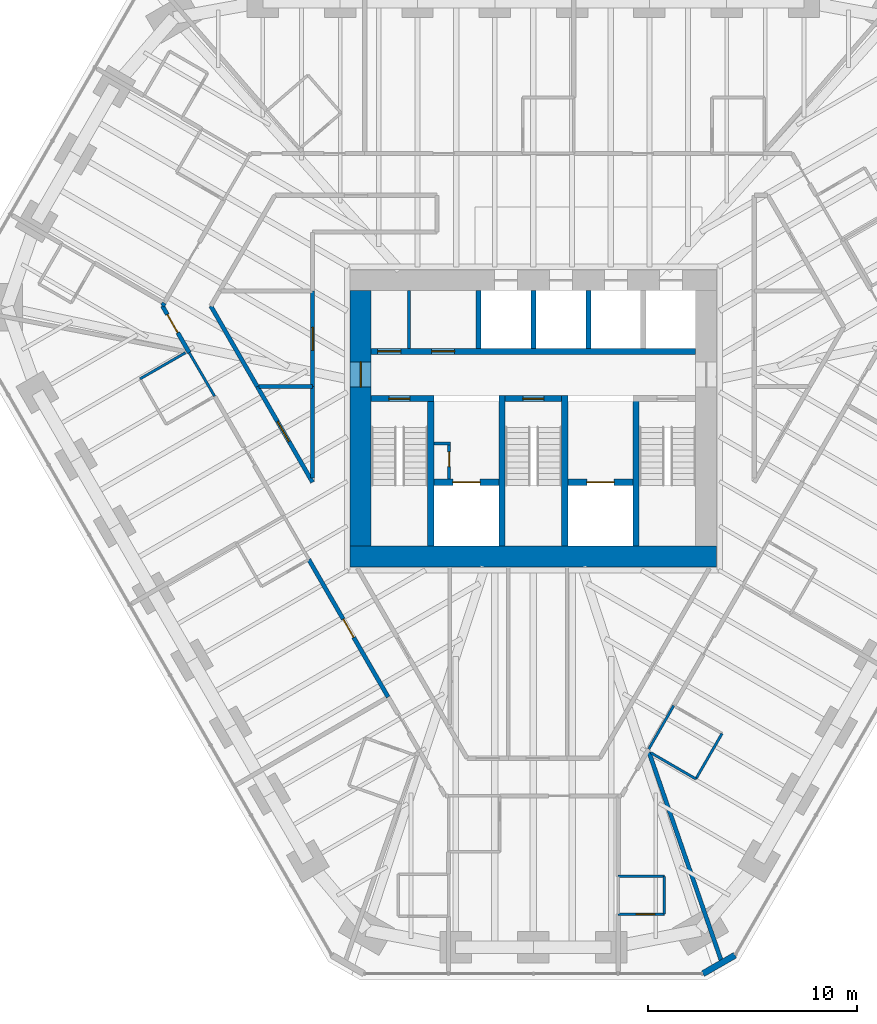
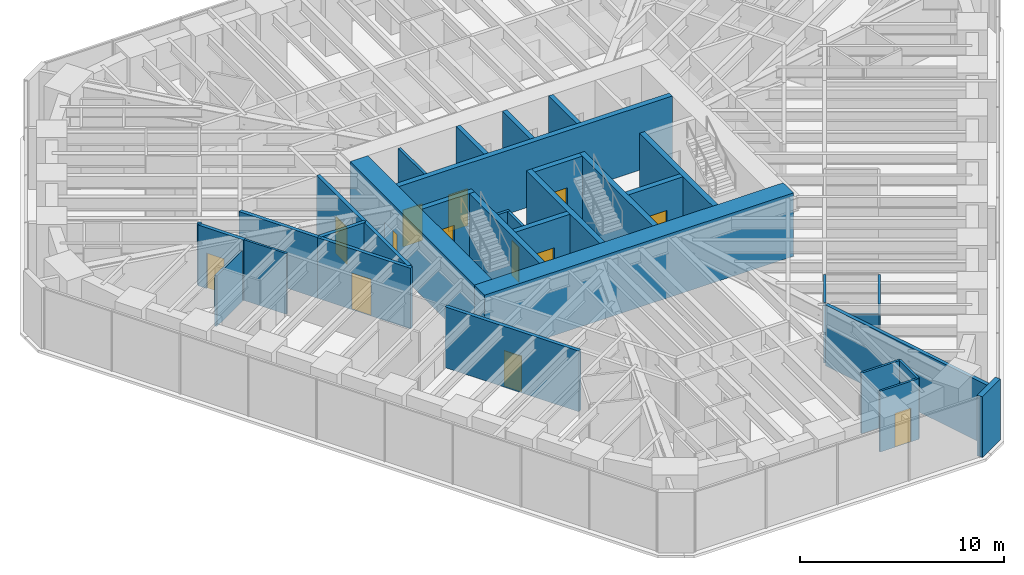
# One storey, part 12 of 16: 35 walls, 13 doors, 13 openings.
"""IFC4 building model written with IfcOpenShell, lengths in metres."""

import ifcopenshell
import ifcopenshell.guid

model = None  # the IFC model being written
_history = None  # IfcOwnerHistory: only IFC2X3 demands one
_inside = {}  # id of a spatial element -> (the spatial element, [elements in it])
_under = {}  # id of a project, library or spatial element -> (it, [spatial elements below it])
_declared = {}  # id of a project -> (the project, [libraries it declares])
_typed = {}  # id of a type object -> (the type object, [elements of that type])
_made_of = {}  # id of a material, layer set ... -> (it, [elements and type objects made of it])


def new_model(schema):
    """Start an empty IFC model of exactly this schema.

    Asked for "IFC4X3", IfcOpenShell would pick the latest addendum, in which some entities
    have other attributes; the version numbers below select the first issue.
    IFC2X3 requires an IfcOwnerHistory on every rooted entity: one is made here for all.
    """
    global model, _history
    if schema == "IFC4X3":
        model = ifcopenshell.file(schema_version=(4, 3, 0, 0))
    else:
        model = ifcopenshell.file(schema=schema)
    _inside.clear()
    _under.clear()
    _declared.clear()
    _typed.clear()
    _made_of.clear()
    _history = None
    if model.schema == "IFC2X3":
        org = make("IfcOrganization", Name="unknown")
        user = make(
            "IfcPersonAndOrganization",
            ThePerson=make("IfcPerson", FamilyName="unknown"),
            TheOrganization=org,
        )
        app = make(
            "IfcApplication",
            ApplicationDeveloper=org,
            Version="unknown",
            ApplicationFullName="unknown",
            ApplicationIdentifier="unknown",
        )
        _history = make(
            "IfcOwnerHistory",
            OwningUser=user,
            OwningApplication=app,
            ChangeAction="ADDED",
            CreationDate=0,
        )
    return model


def make(cls, **values):
    """One entity of the class cls with the attributes given. An attribute that is None is left unset."""
    return model.create_entity(
        cls, **{name: value for name, value in values.items() if value is not None}
    )


def rooted(cls, **values):
    """An entity with a GlobalId (a new one), such as an element, a storey or a relation."""
    return make(cls, GlobalId=ifcopenshell.guid.new(), OwnerHistory=_history, **values)


def si_unit(unit_type, name, prefix=None):
    """IfcSIUnit, for example si_unit("LENGTHUNIT", "METRE", prefix="MILLI")."""
    return make("IfcSIUnit", UnitType=unit_type, Prefix=prefix, Name=name)


def assignment(units):
    """IfcUnitAssignment: the units of a project."""
    return None if units is None else make("IfcUnitAssignment", Units=units)


def point(xyz):
    """IfcCartesianPoint."""
    return None if xyz is None else make("IfcCartesianPoint", Coordinates=xyz)


def direction(xyz):
    """IfcDirection."""
    return None if xyz is None else make("IfcDirection", DirectionRatios=xyz)


def frame(location, z_axis=None, x_axis=None):
    """IfcAxis2Placement3D, a coordinate frame: its origin and axes. An axis left out is left unset."""
    return make(
        "IfcAxis2Placement3D",
        Location=point(location),
        Axis=direction(z_axis),
        RefDirection=direction(x_axis),
    )


def frame_2d(location, x_axis=None):
    """IfcAxis2Placement2D, a coordinate frame in the plane: its origin and x axis."""
    return make(
        "IfcAxis2Placement2D", Location=point(location), RefDirection=direction(x_axis)
    )


def origin():
    """The frame at (0, 0, 0) with its axes left unset."""
    return frame((0.0, 0.0, 0.0))


def place(relative_to, where):
    """IfcLocalPlacement: puts the frame where relative to a parent placement (None: the world)."""
    return make(
        "IfcLocalPlacement", PlacementRelTo=relative_to, RelativePlacement=where
    )


def context(
    kind, dimensions, precision=None, world=None, true_north=None, identifier=None
):
    """IfcGeometricRepresentationContext, for example the 3D "Model" context."""
    return make(
        "IfcGeometricRepresentationContext",
        ContextIdentifier=identifier,
        ContextType=kind,
        CoordinateSpaceDimension=dimensions,
        Precision=precision,
        WorldCoordinateSystem=world,
        TrueNorth=true_north,
    )


def subcontext(parent, identifier, kind, view, scale=None):
    """IfcGeometricRepresentationSubContext, for example "Body" below "Model"."""
    return make(
        "IfcGeometricRepresentationSubContext",
        ContextIdentifier=identifier,
        ContextType=kind,
        ParentContext=parent,
        TargetScale=scale,
        TargetView=view,
    )


def project(units=None, contexts=None):
    """IfcProject with its units and contexts."""
    return rooted(
        "IfcProject",
        Name="project",
        RepresentationContexts=contexts,
        UnitsInContext=assignment(units),
    )


def spatial(cls, under=None, at=None, **own):
    """A site, building, storey or space (cls), placed at a placement, below another one or the project."""
    s = rooted(cls, ObjectPlacement=at, **own)
    if under is not None:
        _under.setdefault(under.id(), (under, []))[1].append(s)
    return s


def profile(cls, at=None, kind="AREA", **sizes):
    """A parametric profile (cls). Its sizes go by their IFC names, for example OverallWidth=200.0."""
    return make(cls, ProfileType=kind, Position=at, **sizes)


def rectangle(**sizes):
    """IfcRectangleProfileDef."""
    return profile("IfcRectangleProfileDef", **sizes)


def extrude(swept, where, along, depth):
    """IfcExtrudedAreaSolid: the profile swept, set in the frame where, extruded along a direction by depth."""
    return make(
        "IfcExtrudedAreaSolid",
        SweptArea=swept,
        Position=where,
        ExtrudedDirection=direction(along),
        Depth=depth,
    )


def shape(context_of_items, identifier, shape_type, items):
    """IfcShapeRepresentation: the items that make up one representation, for example the "Body"."""
    return make(
        "IfcShapeRepresentation",
        ContextOfItems=context_of_items,
        RepresentationIdentifier=identifier,
        RepresentationType=shape_type,
        Items=items,
    )


def material(Name=None, Category=None):
    """IfcMaterial."""
    return make("IfcMaterial", Name=Name, Category=Category)


def layer(
    of_material, thickness, ventilated=None, Name=None, Category=None, Priority=None
):
    """IfcMaterialLayer: one layer of a wall or slab, of a material (None: an air gap)."""
    return make(
        "IfcMaterialLayer",
        Material=of_material,
        LayerThickness=thickness,
        IsVentilated=ventilated,
        Name=Name,
        Category=Category,
        Priority=Priority,
    )


def layer_set(layers, Name=None):
    """IfcMaterialLayerSet."""
    return make("IfcMaterialLayerSet", MaterialLayers=layers, LayerSetName=Name)


def made_of(thing, what):
    """Note that an element or type object is made of a material, layer set ...; save() writes the relation."""
    if what is not None:
        _made_of.setdefault(what.id(), (what, []))[1].append(thing)
    return thing


def type_object(cls, material=None, **own):
    """A type object (cls), such as IfcWallType, which elements share."""
    return made_of(rooted(cls, **own), material)


def element(
    cls,
    number,
    at=None,
    inside=None,
    cuts=None,
    type_object=None,
    material=None,
    context=None,
    identifier="Body",
    shape_type=None,
    held_by="IfcProductDefinitionShape",
    body=None,
    shapes=None,
    **own,
):
    """One element of the class cls, such as IfcWall. Its Tag is "e" and its number.

    at: its placement. inside: the storey or other place that contains it. cuts: it is an
    opening in that element (IfcRelVoidsElement). A single representation is given by context,
    identifier, shape_type and body (its items); several are given by shapes. held_by: the class
    of the entity that holds the representations. save() writes the other relations.
    """
    e = rooted(cls, Tag="e%d" % number, ObjectPlacement=at, **own)
    if body is not None:
        shapes = [shape(context, identifier, shape_type, body)]
    if shapes is not None:
        e.Representation = make(held_by, Representations=shapes)
    if inside is not None:
        _inside.setdefault(inside.id(), (inside, []))[1].append(e)
    if cuts is not None:
        rooted(
            "IfcRelVoidsElement", RelatingBuildingElement=cuts, RelatedOpeningElement=e
        )
    if type_object is not None:
        _typed.setdefault(type_object.id(), (type_object, []))[1].append(e)
    return made_of(e, material)


def fill(opening, filler):
    """IfcRelFillsElement: the door or window that sits in an opening."""
    return rooted(
        "IfcRelFillsElement",
        RelatingOpeningElement=opening,
        RelatedBuildingElement=filler,
    )


def aggregate(whole, parts):
    """IfcRelAggregates: a whole, such as a stair, and the parts it consists of."""
    return rooted("IfcRelAggregates", RelatingObject=whole, RelatedObjects=parts)


def save(model, path):
    """Write the relations noted so far, then the file.

    IfcRelAggregates (storeys below a building ...), IfcRelContainedInSpatialStructure (elements
    in a storey), IfcRelDefinesByType, IfcRelAssociatesMaterial and IfcRelDeclares: one each for
    every whole, place, type object, material and project.
    """
    for whole, parts in _under.values():
        aggregate(whole, parts)
    for where, things in _inside.values():
        rooted(
            "IfcRelContainedInSpatialStructure",
            RelatedElements=things,
            RelatingStructure=where,
        )
    for kind, things in _typed.values():
        rooted("IfcRelDefinesByType", RelatedObjects=things, RelatingType=kind)
    for what, things in _made_of.values():
        rooted("IfcRelAssociatesMaterial", RelatedObjects=things, RelatingMaterial=what)
    for by, libraries in _declared.values():
        rooted("IfcRelDeclares", RelatingContext=by, RelatedDefinitions=libraries)
    model.write(path)


model = new_model("IFC4")

# Units and contexts
model_context = context("Model", 3, precision=1e-05, world=origin(), true_north=direction((0.0, 1.0)))
body_context = subcontext(model_context, "Body", "Model", "MODEL_VIEW")
ifc_project = project(units=[si_unit("LENGTHUNIT", "METRE"), si_unit("AREAUNIT", "SQUARE_METRE"), si_unit("VOLUMEUNIT", "CUBIC_METRE"), si_unit("PLANEANGLEUNIT", "RADIAN"), si_unit("MASSUNIT", "GRAM", prefix="KILO")], contexts=[model_context])

# Site, building, storey
site_placement = place(None, origin())
site = spatial("IfcSite", under=ifc_project, at=site_placement, CompositionType="ELEMENT")
building_placement = place(site_placement, origin())
building = spatial("IfcBuilding", under=site, at=building_placement, Name="Sandreach Pilgrim Tower", CompositionType="ELEMENT")
storey_placement = place(building_placement, frame((0.0, 0.0, 206.0)))
storey = spatial("IfcBuildingStorey", under=building, at=storey_placement, Name="L51", CompositionType="ELEMENT", Elevation=206.0)

# Walls
ifc_material_1 = material(Name="Gypsum board on steel studs", Category="steel")
ifc_layer_1 = layer(ifc_material_1, 0.14990234375)
ifc_layer_set_1 = layer_set([ifc_layer_1], Name="Back of house wall 150")
wall_type_1 = type_object("IfcWallType", Name="Back of house wall 150", PredefinedType="PARTITIONING", material=ifc_layer_set_1)
wall_1_placement = place(storey_placement, frame((-5.949951171875, 3.35009765625, 0.0), z_axis=(0.0, 0.0, 1.0), x_axis=(0.0, 1.0, 0.0)))
element("IfcWall", 1, at=wall_1_placement, inside=storey, type_object=wall_type_1, Name="Core room partition L51 1", PredefinedType="PARTITIONING", context=body_context, shape_type="SweptSolid", body=[
    extrude(rectangle(XDim=2.75, YDim=0.14990234375, at=frame_2d((1.375, 0.0))), origin(), (0.0, 0.0, 1.0), 3.639892578125),
])
ifc_material_2 = material(Name="Moisture-resistant gypsum board on steel studs", Category="steel")
ifc_layer_2 = layer(ifc_material_2, 0.1201171875)
ifc_layer_set_2 = layer_set([ifc_layer_2], Name="Bathroom partition 120")
wall_type_2 = type_object("IfcWallType", Name="Bathroom partition 120", PredefinedType="PARTITIONING", material=ifc_layer_set_2)
wall_2_placement = place(storey_placement, frame((-16.623779296875, 3.1376953125, 0.0), z_axis=(0.0, 0.0, 1.0), x_axis=(-0.866525185869, -0.499133351175, 0.0)))
element("IfcWall", 2, at=wall_2_placement, inside=storey, type_object=wall_type_2, Name="Bathroom partition L51-020", PredefinedType="PARTITIONING", context=body_context, shape_type="SweptSolid", body=[
    extrude(rectangle(XDim=2.5, YDim=0.1201171875, at=frame_2d((1.25, 0.0))), origin(), (0.0, 0.0, 1.0), 3.0380859375),
])
wall_3_placement = place(storey_placement, frame((-16.43994140625, 3.139892578125, 0.0), z_axis=(0.0, 0.0, 1.0), x_axis=(0.502854986947, -0.864370789709, 0.0)))
element("IfcWall", 3, at=wall_3_placement, inside=storey, type_object=wall_type_2, Name="Bathroom partition L51-022", PredefinedType="PARTITIONING", context=body_context, shape_type="SweptSolid", body=[
    extrude(rectangle(XDim=2.40625, YDim=0.1201171875, at=frame_2d((1.203125, 0.0))), origin(), (0.0, 0.0, 1.0), 3.639892578125),
])

# Wall, opening, door
wall_4_placement = place(storey_placement, frame((4.050048828125, -23.679931640625, 0.0), z_axis=(0.0, 0.0, 1.0), x_axis=(1.0, 0.0, 0.0)))
wall_4 = element("IfcWall", 4, at=wall_4_placement, inside=storey, type_object=wall_type_2, Name="Bathroom partition L51-091", PredefinedType="PARTITIONING", context=body_context, shape_type="SweptSolid", body=[
    extrude(rectangle(XDim=2.199951171875, YDim=0.1201171875, at=frame_2d((1.10009765625, 0.0))), origin(), (0.0, 0.0, 1.0), 3.639892578125),
])
opening_1_placement = place(wall_4_placement, frame((0.85009765625, 0.0, 0.0)))
opening_1 = element("IfcOpeningElement", 5, at=opening_1_placement, cuts=wall_4, Name="Opening D09-09B", PredefinedType="OPENING", context=body_context, shape_type="SweptSolid", body=[
    extrude(rectangle(XDim=0.89990234375, YDim=2.030029296875, at=frame_2d((0.449951171875, 1.01513671875))), frame((0.0, 0.06005859375, 0.0), z_axis=(0.0, -1.0, 0.0), x_axis=(1.0, 0.0, 0.0)), (0.0, 0.0, 1.0), 0.1201171875),
])
ifc_material_3 = material(Name="Timber door, steel frame", Category="steel")
door_type_1 = type_object("IfcDoorType", Name="Bathroom door", OperationType="SINGLE_SWING_LEFT", PredefinedType="DOOR", material=ifc_material_3)
door_1_placement = place(opening_1_placement, origin())
door_1 = element("IfcDoor", 6, at=door_1_placement, inside=storey, type_object=door_type_1, Name="Door 5109B", OperationType="SINGLE_SWING_RIGHT", OverallHeight=2.030029296875, OverallWidth=0.89990234375, PredefinedType="DOOR", context=body_context, shape_type="SweptSolid", body=[
    extrude(rectangle(XDim=0.89990234375, YDim=2.030029296875, at=frame_2d((0.449951171875, 1.01513671875))), frame((0.0, 0.02490234375, 0.0), z_axis=(0.0, -1.0, 0.0), x_axis=(1.0, 0.0, 0.0)), (0.0, 0.0, 1.0), 0.050048828125),
])
fill(opening_1, door_1)

# Walls
wall_5_placement = place(storey_placement, frame((5.510009765625, -15.7900390625, 0.0), z_axis=(0.0, 0.0, 1.0), x_axis=(0.49836161924, 0.866969259241, 0.0)))
element("IfcWall", 7, at=wall_5_placement, inside=storey, type_object=wall_type_2, Name="Bathroom partition L51-095", PredefinedType="PARTITIONING", context=body_context, shape_type="SweptSolid", body=[
    extrude(rectangle(XDim=2.3876953125, YDim=0.1201171875, at=frame_2d((1.19384765625, 0.0))), origin(), (0.0, 0.0, 1.0), 3.639892578125),
])
wall_6_placement = place(storey_placement, frame((5.615234375, -15.97509765625, 0.0), z_axis=(0.0, 0.0, 1.0), x_axis=(0.864873056518, -0.501990633487, 0.0)))
element("IfcWall", 8, at=wall_6_placement, inside=storey, type_object=wall_type_2, Name="Bathroom partition L51-097", PredefinedType="PARTITIONING", context=body_context, shape_type="SweptSolid", body=[
    extrude(rectangle(XDim=2.47998046875, YDim=0.1201171875, at=frame_2d((1.239990234375, 0.0))), origin(), (0.0, 0.0, 1.0), 3.0380859375),
])
wall_7_placement = place(storey_placement, frame((6.25, -23.679931640625, 0.0), z_axis=(0.0, 0.0, 1.0), x_axis=(0.0, 1.0, 0.0)))
element("IfcWall", 9, at=wall_7_placement, inside=storey, type_object=wall_type_2, Name="Bathroom partition L51-098", PredefinedType="PARTITIONING", context=body_context, shape_type="SweptSolid", body=[
    extrude(rectangle(XDim=1.809814453125, YDim=0.1201171875, at=frame_2d((0.90478515625, 0.0))), origin(), (0.0, 0.0, 1.0), 3.639892578125),
])
wall_8_placement = place(storey_placement, frame((6.25, -21.8701171875, 0.0), z_axis=(0.0, 0.0, 1.0), x_axis=(-1.0, 0.0, 0.0)))
element("IfcWall", 10, at=wall_8_placement, inside=storey, type_object=wall_type_2, Name="Bathroom partition L51-099", PredefinedType="PARTITIONING", context=body_context, shape_type="SweptSolid", body=[
    extrude(rectangle(XDim=2.199951171875, YDim=0.1201171875, at=frame_2d((1.10009765625, 0.0))), origin(), (0.0, 0.0, 1.0), 3.639892578125),
])
wall_9_placement = place(storey_placement, frame((7.760009765625, -17.219970703125, 0.0), z_axis=(0.0, 0.0, 1.0), x_axis=(0.499159685399, 0.866510016372, 0.0)))
element("IfcWall", 11, at=wall_9_placement, inside=storey, type_object=wall_type_2, Name="Bathroom partition L51-101", PredefinedType="PARTITIONING", context=body_context, shape_type="SweptSolid", body=[
    extrude(rectangle(XDim=2.504150390625, YDim=0.1201171875, at=frame_2d((1.251953125, 0.0))), origin(), (0.0, 0.0, 1.0), 3.639892578125),
])
ifc_material_4 = material(Name="Concrete 10000 psi", Category="concrete")
ifc_layer_3 = layer(ifc_material_4, 0.300048828125)
ifc_layer_set_3 = layer_set([ifc_layer_3], Name="Core inner wall 300")
wall_type_3 = type_object("IfcWallType", Name="Core inner wall 300", PredefinedType="SHEAR", material=ifc_layer_set_3)
for number, where, z_axis, x_axis, name in (
    (12, (-4.89990234375, -6.10009765625, 0.0), (0.0, 0.0, 1.0), (0.0, 1.0, 0.0), "Core wall I0 L51"),
    (13, (-1.5, -6.10009765625, 0.0), (0.0, 0.0, 1.0), (0.0, 1.0, 0.0), "Core wall I1 L51"),
    (14, (1.5, -6.10009765625, 0.0), (0.0, 0.0, 1.0), (0.0, 1.0, 0.0), "Core wall I2 L51"),
    (15, (4.89990234375, -6.10009765625, 0.0), (0.0, 0.0, 1.0), (0.0, 1.0, 0.0), "Core wall I3 L51"),
):
    element("IfcWall", number, at=place(storey_placement, frame(where, z_axis=z_axis, x_axis=x_axis)), inside=storey, type_object=wall_type_3, Name=name, PredefinedType="SHEAR", context=body_context, shape_type="SweptSolid", body=[
        extrude(rectangle(XDim=7.2001953125, YDim=0.300048828125, at=frame_2d((3.60009765625, 0.0))), origin(), (0.0, 0.0, 1.0), 3.800048828125),
    ])

# Wall, opening, door
wall_10_placement = place(storey_placement, frame((-7.75, 0.949951171875, 0.0), z_axis=(0.0, 0.0, 1.0), x_axis=(1.0, 0.0, 0.0)))
wall_10 = element("IfcWall", 16, at=wall_10_placement, inside=storey, type_object=wall_type_3, Name="Core wall SN1 L51", PredefinedType="SHEAR", context=body_context, shape_type="SweptSolid", body=[
    extrude(rectangle(XDim=3.0, YDim=0.300048828125, at=frame_2d((1.5, 0.0))), origin(), (0.0, 0.0, 1.0), 3.800048828125),
])
opening_2_placement = place(wall_10_placement, frame((0.85009765625, 0.0, 0.0)))
opening_2 = element("IfcOpeningElement", 17, at=opening_2_placement, cuts=wall_10, Name="Opening D10S-ST1", PredefinedType="OPENING", context=body_context, shape_type="SweptSolid", body=[
    extrude(rectangle(XDim=1.0, YDim=2.199951171875, at=frame_2d((0.5, 1.10009765625))), frame((0.0, 0.14990234375, 0.0), z_axis=(0.0, -1.0, 0.0), x_axis=(1.0, 0.0, 0.0)), (0.0, 0.0, 1.0), 0.300048828125),
])
ifc_material_5 = material(Name="Steel door and frame", Category="steel")
door_type_2 = type_object("IfcDoorType", Name="Stair door", OperationType="SINGLE_SWING_LEFT", PredefinedType="DOOR", material=ifc_material_5)
door_2_placement = place(opening_2_placement, origin())
door_2 = element("IfcDoor", 18, at=door_2_placement, inside=storey, type_object=door_type_2, Name="Stair door ST1 L51", OperationType="SINGLE_SWING_LEFT", OverallHeight=2.199951171875, OverallWidth=1.0, PredefinedType="DOOR", context=body_context, shape_type="SweptSolid", body=[
    extrude(rectangle(XDim=1.0, YDim=2.199951171875, at=frame_2d((0.5, 1.10009765625))), frame((0.0, 0.02490234375, 0.0), z_axis=(0.0, -1.0, 0.0), x_axis=(1.0, 0.0, 0.0)), (0.0, 0.0, 1.0), 0.050048828125),
])
fill(opening_2, door_2)

wall_11_placement = place(storey_placement, frame((-1.35009765625, 0.949951171875, 0.0), z_axis=(0.0, 0.0, 1.0), x_axis=(1.0, 0.0, 0.0)))
wall_11 = element("IfcWall", 19, at=wall_11_placement, inside=storey, type_object=wall_type_3, Name="Core wall SN3 L51", PredefinedType="SHEAR", context=body_context, shape_type="SweptSolid", body=[
    extrude(rectangle(XDim=2.7001953125, YDim=0.300048828125, at=frame_2d((1.35009765625, 0.0))), origin(), (0.0, 0.0, 1.0), 3.800048828125),
])
opening_3_placement = place(wall_11_placement, frame((0.85009765625, 0.0, 0.0)))
opening_3 = element("IfcOpeningElement", 20, at=opening_3_placement, cuts=wall_11, Name="Opening D10S-ST3", PredefinedType="OPENING", context=body_context, shape_type="SweptSolid", body=[
    extrude(rectangle(XDim=1.0, YDim=2.199951171875, at=frame_2d((0.5, 1.10009765625))), frame((0.0, 0.14990234375, 0.0), z_axis=(0.0, -1.0, 0.0), x_axis=(1.0, 0.0, 0.0)), (0.0, 0.0, 1.0), 0.300048828125),
])
door_3_placement = place(opening_3_placement, origin())
door_3 = element("IfcDoor", 21, at=door_3_placement, inside=storey, type_object=door_type_2, Name="Stair door ST3 L51", OperationType="SINGLE_SWING_LEFT", OverallHeight=2.199951171875, OverallWidth=1.0, PredefinedType="DOOR", context=body_context, shape_type="SweptSolid", body=[
    extrude(rectangle(XDim=1.0, YDim=2.199951171875, at=frame_2d((0.5, 1.10009765625))), frame((0.0, 0.02490234375, 0.0), z_axis=(0.0, -1.0, 0.0), x_axis=(1.0, 0.0, 0.0)), (0.0, 0.0, 1.0), 0.050048828125),
])
fill(opening_3, door_3)

wall_12_placement = place(storey_placement, frame((-4.75, -3.050048828125, 0.0), z_axis=(0.0, 0.0, 1.0), x_axis=(1.0, 0.0, 0.0)))
wall_12 = element("IfcWall", 22, at=wall_12_placement, inside=storey, type_object=wall_type_3, Name="Core wall FL1 L51", PredefinedType="SHEAR", context=body_context, shape_type="SweptSolid", body=[
    extrude(rectangle(XDim=3.10009765625, YDim=0.300048828125, at=frame_2d((1.550048828125, 0.0))), origin(), (0.0, 0.0, 1.0), 3.800048828125),
])
opening_4_placement = place(wall_12_placement, frame((0.89990234375, 0.0, 0.0)))
opening_4 = element("IfcOpeningElement", 23, at=opening_4_placement, cuts=wall_12, Name="Opening LD13", PredefinedType="OPENING", context=body_context, shape_type="SweptSolid", body=[
    extrude(rectangle(XDim=1.300048828125, YDim=2.10009765625, at=frame_2d((0.64990234375, 1.050048828125))), frame((0.0, 0.14990234375, 0.0), z_axis=(0.0, -1.0, 0.0), x_axis=(1.0, 0.0, 0.0)), (0.0, 0.0, 1.0), 0.300048828125),
])
ifc_material_6 = material(Name="Steel door and frame", Category="steel")
door_type_3 = type_object("IfcDoorType", Name="Fire service lift landing door", OperationType="DOUBLE_DOOR_SLIDING", PredefinedType="DOOR", material=ifc_material_6)
door_4_placement = place(opening_4_placement, origin())
door_4 = element("IfcDoor", 24, at=door_4_placement, inside=storey, type_object=door_type_3, Name="Lift landing door FS1 L51", OperationType="DOUBLE_DOOR_SLIDING", OverallHeight=2.10009765625, OverallWidth=1.300048828125, PredefinedType="DOOR", context=body_context, shape_type="SweptSolid", body=[
    extrude(rectangle(XDim=1.300048828125, YDim=2.10009765625, at=frame_2d((0.64990234375, 1.050048828125))), frame((0.0, 0.02490234375, 0.0), z_axis=(0.0, -1.0, 0.0), x_axis=(1.0, 0.0, 0.0)), (0.0, 0.0, 1.0), 0.050048828125),
])
fill(opening_4, door_4)

wall_13_placement = place(storey_placement, frame((1.64990234375, -3.050048828125, 0.0), z_axis=(0.0, 0.0, 1.0), x_axis=(1.0, 0.0, 0.0)))
wall_13 = element("IfcWall", 25, at=wall_13_placement, inside=storey, type_object=wall_type_3, Name="Core wall FL2 L51", PredefinedType="SHEAR", context=body_context, shape_type="SweptSolid", body=[
    extrude(rectangle(XDim=3.10009765625, YDim=0.300048828125, at=frame_2d((1.550048828125, 0.0))), origin(), (0.0, 0.0, 1.0), 3.800048828125),
])
opening_5_placement = place(wall_13_placement, frame((0.89990234375, 0.0, 0.0)))
opening_5 = element("IfcOpeningElement", 26, at=opening_5_placement, cuts=wall_13, Name="Opening LD13", PredefinedType="OPENING", context=body_context, shape_type="SweptSolid", body=[
    extrude(rectangle(XDim=1.300048828125, YDim=2.10009765625, at=frame_2d((0.64990234375, 1.050048828125))), frame((0.0, 0.14990234375, 0.0), z_axis=(0.0, -1.0, 0.0), x_axis=(1.0, 0.0, 0.0)), (0.0, 0.0, 1.0), 0.300048828125),
])
door_5_placement = place(opening_5_placement, origin())
door_5 = element("IfcDoor", 27, at=door_5_placement, inside=storey, type_object=door_type_3, Name="Lift landing door FS2 L51", OperationType="DOUBLE_DOOR_SLIDING", OverallHeight=2.10009765625, OverallWidth=1.300048828125, PredefinedType="DOOR", context=body_context, shape_type="SweptSolid", body=[
    extrude(rectangle(XDim=1.300048828125, YDim=2.10009765625, at=frame_2d((0.64990234375, 1.050048828125))), frame((0.0, 0.02490234375, 0.0), z_axis=(0.0, -1.0, 0.0), x_axis=(1.0, 0.0, 0.0)), (0.0, 0.0, 1.0), 0.050048828125),
])
fill(opening_5, door_5)

# Wall, openings, doors
wall_14_placement = place(storey_placement, frame((-7.75, 3.199951171875, 0.0), z_axis=(0.0, 0.0, 1.0), x_axis=(1.0, 0.0, 0.0)))
wall_14 = element("IfcWall", 28, at=wall_14_placement, inside=storey, type_object=wall_type_3, Name="Core wall PN L51", PredefinedType="SHEAR", context=body_context, shape_type="SweptSolid", body=[
    extrude(rectangle(XDim=15.5, YDim=0.300048828125, at=frame_2d((7.75, 0.0))), origin(), (0.0, 0.0, 1.0), 3.800048828125),
])
opening_6_placement = place(wall_14_placement, frame((0.3125, 0.0, 0.0)))
opening_6 = element("IfcOpeningElement", 29, at=opening_6_placement, cuts=wall_14, Name="Opening D11L", PredefinedType="OPENING", context=body_context, shape_type="SweptSolid", body=[
    extrude(rectangle(XDim=1.10009765625, YDim=2.199951171875, at=frame_2d((0.550048828125, 1.10009765625))), frame((0.0, 0.14990234375, 0.0), z_axis=(0.0, -1.0, 0.0), x_axis=(1.0, 0.0, 0.0)), (0.0, 0.0, 1.0), 0.300048828125),
])
opening_7_placement = place(wall_14_placement, frame((2.887451171875, 0.0, 0.0)))
opening_7 = element("IfcOpeningElement", 30, at=opening_7_placement, cuts=wall_14, Name="Opening D11L", PredefinedType="OPENING", context=body_context, shape_type="SweptSolid", body=[
    extrude(rectangle(XDim=1.10009765625, YDim=2.199951171875, at=frame_2d((0.550048828125, 1.10009765625))), frame((0.0, 0.14990234375, 0.0), z_axis=(0.0, -1.0, 0.0), x_axis=(1.0, 0.0, 0.0)), (0.0, 0.0, 1.0), 0.300048828125),
])
ifc_material_7 = material(Name="Steel door and frame, smoke seals", Category="steel")
door_type_4 = type_object("IfcDoorType", Name="Core room door", OperationType="SINGLE_SWING_LEFT", PredefinedType="DOOR", material=ifc_material_7)
door_6_placement = place(opening_6_placement, origin())
door_6 = element("IfcDoor", 31, at=door_6_placement, inside=storey, type_object=door_type_4, Name="Door linen and housekeeping store 51K1", OperationType="SINGLE_SWING_LEFT", OverallHeight=2.199951171875, OverallWidth=1.10009765625, PredefinedType="DOOR", context=body_context, shape_type="SweptSolid", body=[
    extrude(rectangle(XDim=1.10009765625, YDim=2.199951171875, at=frame_2d((0.550048828125, 1.10009765625))), frame((0.0, 0.02490234375, 0.0), z_axis=(0.0, -1.0, 0.0), x_axis=(1.0, 0.0, 0.0)), (0.0, 0.0, 1.0), 0.050048828125),
])
fill(opening_6, door_6)
door_7_placement = place(opening_7_placement, origin())
door_7 = element("IfcDoor", 32, at=door_7_placement, inside=storey, type_object=door_type_4, Name="Door cleaners store 51K2", OperationType="SINGLE_SWING_LEFT", OverallHeight=2.199951171875, OverallWidth=1.10009765625, PredefinedType="DOOR", context=body_context, shape_type="SweptSolid", body=[
    extrude(rectangle(XDim=1.10009765625, YDim=2.199951171875, at=frame_2d((0.550048828125, 1.10009765625))), frame((0.0, 0.02490234375, 0.0), z_axis=(0.0, -1.0, 0.0), x_axis=(1.0, 0.0, 0.0)), (0.0, 0.0, 1.0), 0.050048828125),
])
fill(opening_7, door_7)

# Wall
ifc_material_8 = material(Name="Concrete 10000 psi", Category="concrete")
ifc_layer_4 = layer(ifc_material_8, 1.0)
ifc_layer_set_4 = layer_set([ifc_layer_4], Name="Core wall 1000")
wall_type_4 = type_object("IfcWallType", Name="Core wall 1000", PredefinedType="SHEAR", material=ifc_layer_set_4)
wall_15_placement = place(storey_placement, frame((-8.75, -6.60009765625, 0.0), z_axis=(0.0, 0.0, 1.0), x_axis=(1.0, 0.0, 0.0)))
element("IfcWall", 33, at=wall_15_placement, inside=storey, type_object=wall_type_4, Name="Core wall S L51", PredefinedType="SHEAR", context=body_context, shape_type="SweptSolid", body=[
    extrude(rectangle(XDim=17.5, YDim=1.0, at=frame_2d((8.75, 0.0))), origin(), (0.0, 0.0, 1.0), 3.800048828125),
])

# Wall, opening, door
wall_16_placement = place(storey_placement, frame((-8.25, -6.10009765625, 0.0), z_axis=(0.0, 0.0, 1.0), x_axis=(0.0, 1.0, 0.0)))
wall_16 = element("IfcWall", 34, at=wall_16_placement, inside=storey, type_object=wall_type_4, Name="Core wall W L51", PredefinedType="SHEAR", context=body_context, shape_type="SweptSolid", body=[
    extrude(rectangle(XDim=12.2001953125, YDim=1.0, at=frame_2d((6.10009765625, 0.0))), origin(), (0.0, 0.0, 1.0), 3.800048828125),
])
opening_8_placement = place(wall_16_placement, frame((7.60009765625, 0.0, 0.0)))
opening_8 = element("IfcOpeningElement", 35, at=opening_8_placement, cuts=wall_16, Name="Opening D12F-W", PredefinedType="OPENING", context=body_context, shape_type="SweptSolid", body=[
    extrude(rectangle(XDim=1.199951171875, YDim=2.199951171875, at=frame_2d((0.60009765625, 1.10009765625))), frame((0.0, 0.5, 0.0), z_axis=(0.0, -1.0, 0.0), x_axis=(1.0, 0.0, 0.0)), (0.0, 0.0, 1.0), 1.0),
])
ifc_material_9 = material(Name="Steel door and frame", Category="steel")
door_type_5 = type_object("IfcDoorType", Name="Fire lobby door", OperationType="SINGLE_SWING_LEFT", PredefinedType="DOOR", material=ifc_material_9)
door_8_placement = place(opening_8_placement, origin())
door_8 = element("IfcDoor", 36, at=door_8_placement, inside=storey, type_object=door_type_5, Name="Fire service lobby door W L51", OperationType="SINGLE_SWING_RIGHT", OverallHeight=2.199951171875, OverallWidth=1.199951171875, PredefinedType="DOOR", context=body_context, shape_type="SweptSolid", body=[
    extrude(rectangle(XDim=1.199951171875, YDim=2.199951171875, at=frame_2d((0.60009765625, 1.10009765625))), frame((0.0, 0.02490234375, 0.0), z_axis=(0.0, -1.0, 0.0), x_axis=(1.0, 0.0, 0.0)), (0.0, 0.0, 1.0), 0.050048828125),
])
fill(opening_8, door_8)

# Wall
ifc_material_10 = material(Name="Gypsum board on steel studs, two layers each side", Category="steel")
ifc_layer_5 = layer(ifc_material_10, 0.199951171875)
ifc_layer_set_5 = layer_set([ifc_layer_5], Name="Corridor wall 200")
wall_type_5 = type_object("IfcWallType", Name="Corridor wall 200", PredefinedType="PARTITIONING", material=ifc_layer_set_5)
wall_17_placement = place(storey_placement, frame((-17.6298828125, 5.510009765625, 0.0), z_axis=(0.0, 0.0, 1.0), x_axis=(-0.541424846284, -0.840749151547, 0.0)))
element("IfcWall", 37, at=wall_17_placement, inside=storey, type_object=wall_type_5, Name="Corridor wall L51-014", PredefinedType="PARTITIONING", context=body_context, shape_type="SweptSolid", body=[
    extrude(rectangle(XDim=0.16650390625, YDim=0.199951171875, at=frame_2d((0.083251953125, 0.0))), origin(), (0.0, 0.0, 1.0), 3.639892578125),
])

# Wall, opening, door
wall_18_placement = place(storey_placement, frame((-16.43994140625, 3.139892578125, 0.0), z_axis=(0.0, 0.0, 1.0), x_axis=(-0.497825198029, 0.867277390578, 0.0)))
wall_18 = element("IfcWall", 38, at=wall_18_placement, inside=storey, type_object=wall_type_5, Name="Corridor wall L51-021", PredefinedType="PARTITIONING", context=body_context, shape_type="SweptSolid", body=[
    extrude(rectangle(XDim=2.5712890625, YDim=0.199951171875, at=frame_2d((1.28564453125, 0.0))), origin(), (0.0, 0.0, 1.0), 3.639892578125),
])
opening_9_placement = place(wall_18_placement, frame((1.10009765625, 0.0, 0.0)))
opening_9 = element("IfcOpeningElement", 39, at=opening_9_placement, cuts=wall_18, Name="Opening D10-15", PredefinedType="OPENING", context=body_context, shape_type="SweptSolid", body=[
    extrude(rectangle(XDim=1.0, YDim=2.1298828125, at=frame_2d((0.5, 1.06494140625))), frame((0.0, 0.10009765625, 0.0), z_axis=(0.0, -1.0, 0.0), x_axis=(1.0, 0.0, 0.0)), (0.0, 0.0, 1.0), 0.199951171875),
])
ifc_material_11 = material(Name="Steel door and frame", Category="steel")
door_type_6 = type_object("IfcDoorType", Name="Guest room entry door", OperationType="SINGLE_SWING_LEFT", PredefinedType="DOOR", material=ifc_material_11)
door_9_placement = place(opening_9_placement, origin())
door_9 = element("IfcDoor", 40, at=door_9_placement, inside=storey, type_object=door_type_6, Name="Door 5115", OperationType="SINGLE_SWING_RIGHT", OverallHeight=2.1298828125, OverallWidth=1.0, PredefinedType="DOOR", context=body_context, shape_type="SweptSolid", body=[
    extrude(rectangle(XDim=1.0, YDim=2.1298828125, at=frame_2d((0.5, 1.06494140625))), frame((0.0, 0.02490234375, 0.0), z_axis=(0.0, -1.0, 0.0), x_axis=(1.0, 0.0, 0.0)), (0.0, 0.0, 1.0), 0.050048828125),
])
fill(opening_9, door_9)

# Wall
wall_19_placement = place(storey_placement, frame((-13.18994140625, 1.52001953125, 0.0), z_axis=(0.0, 0.0, 1.0), x_axis=(-0.499513190454, 0.866306281036, 0.0)))
element("IfcWall", 41, at=wall_19_placement, inside=storey, type_object=wall_type_5, Name="Corridor wall L51-035", PredefinedType="PARTITIONING", context=body_context, shape_type="SweptSolid", body=[
    extrude(rectangle(XDim=4.4443359375, YDim=0.199951171875, at=frame_2d((2.22216796875, 0.0))), origin(), (0.0, 0.0, 1.0), 3.639892578125),
])

# Wall, opening, door
wall_20_placement = place(storey_placement, frame((-10.72998046875, -6.739990234375, 0.0), z_axis=(0.0, 0.0, 1.0), x_axis=(0.499684370586, -0.866207555839, 0.0)))
wall_20 = element("IfcWall", 42, at=wall_20_placement, inside=storey, type_object=wall_type_5, Name="Corridor wall L51-044", PredefinedType="PARTITIONING", context=body_context, shape_type="SweptSolid", body=[
    extrude(rectangle(XDim=7.5849609375, YDim=0.199951171875, at=frame_2d((3.79248046875, 0.0))), origin(), (0.0, 0.0, 1.0), 3.639892578125),
])
opening_10_placement = place(wall_20_placement, frame((3.29248046875, 0.0, 0.0)))
opening_10 = element("IfcOpeningElement", 43, at=opening_10_placement, cuts=wall_20, Name="Opening D10-13", PredefinedType="OPENING", context=body_context, shape_type="SweptSolid", body=[
    extrude(rectangle(XDim=1.0, YDim=2.1298828125, at=frame_2d((0.5, 1.06494140625))), frame((0.0, 0.10009765625, 0.0), z_axis=(0.0, -1.0, 0.0), x_axis=(1.0, 0.0, 0.0)), (0.0, 0.0, 1.0), 0.199951171875),
])
door_10_placement = place(opening_10_placement, origin())
door_10 = element("IfcDoor", 44, at=door_10_placement, inside=storey, type_object=door_type_6, Name="Door 5113", OperationType="SINGLE_SWING_LEFT", OverallHeight=2.1298828125, OverallWidth=1.0, PredefinedType="DOOR", context=body_context, shape_type="SweptSolid", body=[
    extrude(rectangle(XDim=1.0, YDim=2.1298828125, at=frame_2d((0.5, 1.06494140625))), frame((0.0, 0.02490234375, 0.0), z_axis=(0.0, -1.0, 0.0), x_axis=(1.0, 0.0, 0.0)), (0.0, 0.0, 1.0), 0.050048828125),
])
fill(opening_10, door_10)

wall_21_placement = place(storey_placement, frame((-10.550048828125, -3.050048828125, 0.0), z_axis=(0.0, 0.0, 1.0), x_axis=(-0.500193590286, 0.865913605527, 0.0)))
wall_21 = element("IfcWall", 45, at=wall_21_placement, inside=storey, type_object=wall_type_5, Name="Corridor wall L51-046", PredefinedType="PARTITIONING", context=body_context, shape_type="SweptSolid", body=[
    extrude(rectangle(XDim=5.27783203125, YDim=0.199951171875, at=frame_2d((2.638916015625, 0.0))), origin(), (0.0, 0.0, 1.0), 3.639892578125),
])
opening_11_placement = place(wall_21_placement, frame((2.25, 0.0, 0.0)))
opening_11 = element("IfcOpeningElement", 46, at=opening_11_placement, cuts=wall_21, Name="Opening D11H-M02", PredefinedType="OPENING", context=body_context, shape_type="SweptSolid", body=[
    extrude(rectangle(XDim=1.10009765625, YDim=2.199951171875, at=frame_2d((0.550048828125, 1.10009765625))), frame((0.0, 0.10009765625, 0.0), z_axis=(0.0, -1.0, 0.0), x_axis=(1.0, 0.0, 0.0)), (0.0, 0.0, 1.0), 0.199951171875),
])
ifc_material_12 = material(Name="Steel door and frame", Category="steel")
door_type_7 = type_object("IfcDoorType", Name="Back of house door", OperationType="SINGLE_SWING_LEFT", PredefinedType="DOOR", material=ifc_material_12)
door_11_placement = place(opening_11_placement, origin())
door_11 = element("IfcDoor", 47, at=door_11_placement, inside=storey, type_object=door_type_7, Name="Door 51M02", OperationType="SINGLE_SWING_RIGHT", OverallHeight=2.199951171875, OverallWidth=1.10009765625, PredefinedType="DOOR", context=body_context, shape_type="SweptSolid", body=[
    extrude(rectangle(XDim=1.10009765625, YDim=2.199951171875, at=frame_2d((0.550048828125, 1.10009765625))), frame((0.0, 0.02490234375, 0.0), z_axis=(0.0, -1.0, 0.0), x_axis=(1.0, 0.0, 0.0)), (0.0, 0.0, 1.0), 0.050048828125),
])
fill(opening_11, door_11)

# Wall
wall_22_placement = place(storey_placement, frame((-10.550048828125, 1.52001953125, 0.0), z_axis=(0.0, 0.0, 1.0), x_axis=(0.0, -1.0, 0.0)))
element("IfcWall", 48, at=wall_22_placement, inside=storey, type_object=wall_type_5, Name="Corridor wall L51-047", PredefinedType="PARTITIONING", context=body_context, shape_type="SweptSolid", body=[
    extrude(rectangle(XDim=4.375, YDim=0.199951171875, at=frame_2d((2.1875, 0.0))), origin(), (0.0, 0.0, 1.0), 3.639892578125),
])

# Wall, opening, door
wall_23_placement = place(storey_placement, frame((-10.550048828125, 6.090087890625, 0.0), z_axis=(0.0, 0.0, 1.0), x_axis=(0.0, -1.0, 0.0)))
wall_23 = element("IfcWall", 49, at=wall_23_placement, inside=storey, type_object=wall_type_5, Name="Corridor wall L51-048", PredefinedType="PARTITIONING", context=body_context, shape_type="SweptSolid", body=[
    extrude(rectangle(XDim=4.570068359375, YDim=0.199951171875, at=frame_2d((2.28515625, 0.0))), origin(), (0.0, 0.0, 1.0), 3.639892578125),
])
opening_12_placement = place(wall_23_placement, frame((1.735107421875, 0.0, 0.0)))
opening_12 = element("IfcOpeningElement", 50, at=opening_12_placement, cuts=wall_23, Name="Opening D11H-M01", PredefinedType="OPENING", context=body_context, shape_type="SweptSolid", body=[
    extrude(rectangle(XDim=1.10009765625, YDim=2.199951171875, at=frame_2d((0.550048828125, 1.10009765625))), frame((0.0, 0.10009765625, 0.0), z_axis=(0.0, -1.0, 0.0), x_axis=(1.0, 0.0, 0.0)), (0.0, 0.0, 1.0), 0.199951171875),
])
door_12_placement = place(opening_12_placement, origin())
door_12 = element("IfcDoor", 51, at=door_12_placement, inside=storey, type_object=door_type_7, Name="Door 51M01", OperationType="SINGLE_SWING_LEFT", OverallHeight=2.199951171875, OverallWidth=1.10009765625, PredefinedType="DOOR", context=body_context, shape_type="SweptSolid", body=[
    extrude(rectangle(XDim=1.10009765625, YDim=2.199951171875, at=frame_2d((0.550048828125, 1.10009765625))), frame((0.0, 0.02490234375, 0.0), z_axis=(0.0, -1.0, 0.0), x_axis=(1.0, 0.0, 0.0)), (0.0, 0.0, 1.0), 0.050048828125),
])
fill(opening_12, door_12)

# Walls
ifc_material_13 = material(Name="Double steel stud acoustic wall, gypsum board", Category="steel")
ifc_layer_6 = layer(ifc_material_13, 0.199951171875)
ifc_layer_set_6 = layer_set([ifc_layer_6], Name="Party wall 200")
wall_type_6 = type_object("IfcWallType", Name="Party wall 200", PredefinedType="PARTITIONING", material=ifc_layer_set_6)
wall_24_placement = place(storey_placement, frame((-10.56005859375, 1.52001953125, 0.0), z_axis=(0.0, 0.0, 1.0), x_axis=(-1.0, 0.0, 0.0)))
element("IfcWall", 52, at=wall_24_placement, inside=storey, type_object=wall_type_6, Name="Party wall L51-045", PredefinedType="PARTITIONING", context=body_context, shape_type="SweptSolid", body=[
    extrude(rectangle(XDim=2.56005859375, YDim=0.199951171875, at=frame_2d((1.280029296875, 0.0))), origin(), (0.0, 0.0, 1.0), 3.639892578125),
])
wall_25_placement = place(storey_placement, frame((5.52197265625, -15.950927734375, 0.0), z_axis=(0.0, 0.0, 1.0), x_axis=(0.327588517074, -0.944820492729, 0.0)))
element("IfcWall", 53, at=wall_25_placement, inside=storey, type_object=wall_type_6, Name="Party wall L51-096", PredefinedType="PARTITIONING", context=body_context, shape_type="SweptSolid", body=[
    extrude(rectangle(XDim=10.6484375, YDim=0.199951171875, at=frame_2d((5.32421875, 0.0))), origin(), (0.0, 0.0, 1.0), 3.639892578125),
])

# Wall, opening, door
ifc_material_14 = material(Name="Gypsum shaft wall on steel studs, shaft liner board", Category="steel")
ifc_layer_7 = layer(ifc_material_14, 0.14990234375)
ifc_layer_set_7 = layer_set([ifc_layer_7], Name="Riser shaft wall 150")
wall_type_7 = type_object("IfcWallType", Name="Riser shaft wall 150", PredefinedType="PARTITIONING", material=ifc_layer_set_7)
wall_26_placement = place(storey_placement, frame((-4.02490234375, -2.89990234375, 0.0), z_axis=(0.0, 0.0, 1.0), x_axis=(0.0, 1.0, 0.0)))
wall_26 = element("IfcWall", 54, at=wall_26_placement, inside=storey, type_object=wall_type_7, Name="Riser partition L51 side", PredefinedType="PARTITIONING", context=body_context, shape_type="SweptSolid", body=[
    extrude(rectangle(XDim=1.77490234375, YDim=0.14990234375, at=frame_2d((0.887451171875, 0.0))), origin(), (0.0, 0.0, 1.0), 3.639892578125),
])
opening_13_placement = place(wall_26_placement, frame((0.60009765625, 0.0, 0.0)))
opening_13 = element("IfcOpeningElement", 55, at=opening_13_placement, cuts=wall_26, Name="Opening D07R", PredefinedType="OPENING", context=body_context, shape_type="SweptSolid", body=[
    extrude(rectangle(XDim=0.699951171875, YDim=2.10009765625, at=frame_2d((0.35009765625, 1.050048828125))), frame((0.0, 0.074951171875, 0.0), z_axis=(0.0, -1.0, 0.0), x_axis=(1.0, 0.0, 0.0)), (0.0, 0.0, 1.0), 0.14990234375),
])
ifc_material_15 = material(Name="Steel door and frame, smoke seals", Category="steel")
door_type_8 = type_object("IfcDoorType", Name="Riser access door", OperationType="SINGLE_SWING_RIGHT", PredefinedType="DOOR", material=ifc_material_15)
door_13_placement = place(opening_13_placement, origin())
door_13 = element("IfcDoor", 56, at=door_13_placement, inside=storey, type_object=door_type_8, Name="Door riser 51ER", OperationType="SINGLE_SWING_RIGHT", OverallHeight=2.10009765625, OverallWidth=0.699951171875, PredefinedType="DOOR", context=body_context, shape_type="SweptSolid", body=[
    extrude(rectangle(XDim=0.699951171875, YDim=2.10009765625, at=frame_2d((0.35009765625, 1.050048828125))), frame((0.0, 0.02490234375, 0.0), z_axis=(0.0, -1.0, 0.0), x_axis=(1.0, 0.0, 0.0)), (0.0, 0.0, 1.0), 0.050048828125),
])
fill(opening_13, door_13)

# Walls
wall_27_placement = place(storey_placement, frame((-4.75, -1.199951171875, 0.0), z_axis=(0.0, 0.0, 1.0), x_axis=(1.0, 0.0, 0.0)))
element("IfcWall", 57, at=wall_27_placement, inside=storey, type_object=wall_type_7, Name="Riser partition L51 front", PredefinedType="PARTITIONING", context=body_context, shape_type="SweptSolid", body=[
    extrude(rectangle(XDim=0.800048828125, YDim=0.14990234375, at=frame_2d((0.39990234375, 0.0))), origin(), (0.0, 0.0, 1.0), 3.639892578125),
])
ifc_material_16 = material(Name="Gypsum shaft wall on steel studs, two layers of shaft liner board", Category="steel")
ifc_layer_8 = layer(ifc_material_16, 0.25)
ifc_layer_set_8 = layer_set([ifc_layer_8], Name="Shaft partition 250")
wall_type_8 = type_object("IfcWallType", Name="Shaft partition 250", PredefinedType="PARTITIONING", material=ifc_layer_set_8)
for number, where, z_axis, x_axis, name in (
    (58, (-2.625, 3.35009765625, 0.0), (0.0, 0.0, 1.0), (0.0, 1.0, 0.0), "Shaft partition NS1 L51"),
    (59, (0.0, 3.35009765625, 0.0), (0.0, 0.0, 1.0), (0.0, 1.0, 0.0), "Shaft partition NS2 L51"),
    (60, (2.625, 3.35009765625, 0.0), (0.0, 0.0, 1.0), (0.0, 1.0, 0.0), "Shaft partition NS3 L51"),
):
    element("IfcWall", number, at=place(storey_placement, frame(where, z_axis=z_axis, x_axis=x_axis)), inside=storey, type_object=wall_type_8, Name=name, PredefinedType="PARTITIONING", context=body_context, shape_type="SweptSolid", body=[
        extrude(rectangle(XDim=2.75, YDim=0.25, at=frame_2d((1.375, 0.0))), origin(), (0.0, 0.0, 1.0), 3.800048828125),
    ])
ifc_material_17 = material(Name="Terracotta rainscreen on concrete", Category="masonry")
ifc_layer_9 = layer(ifc_material_17, 0.300048828125)
ifc_layer_set_9 = layer_set([ifc_layer_9], Name="Terracotta chamfer pier")
wall_type_9 = type_object("IfcWallType", Name="Terracotta chamfer pier", PredefinedType="SOLIDWALL", material=ifc_layer_set_9)
wall_28_placement = place(storey_placement, frame((9.63037109375, -25.64013671875, 0.0), z_axis=(0.0, 0.0, 1.0), x_axis=(-0.866036293601, -0.499981137809, 0.0)))
element("IfcWall", 61, at=wall_28_placement, inside=storey, type_object=wall_type_9, Name="Chamfer pier L51 SE", PredefinedType="SOLIDWALL", context=body_context, shape_type="SweptSolid", body=[
    extrude(rectangle(XDim=1.77001953125, YDim=0.300048828125, at=frame_2d((0.885009765625, 0.0))), origin(), (0.0, 0.0, 1.0), 3.639892578125),
])

save(model, "model.ifc")
